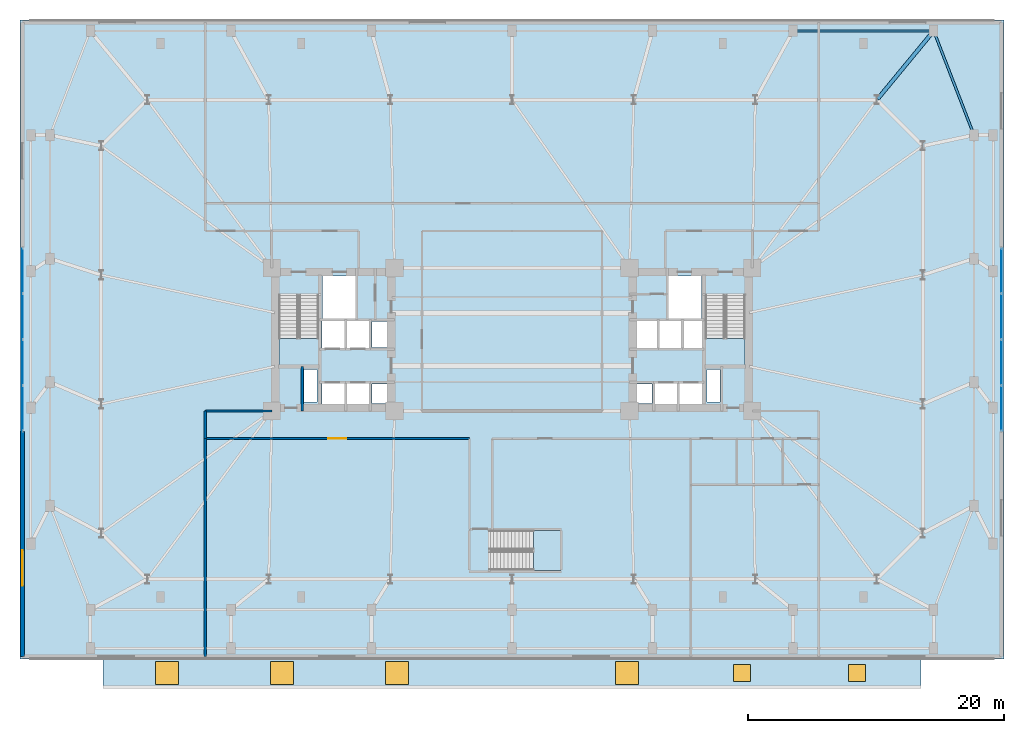
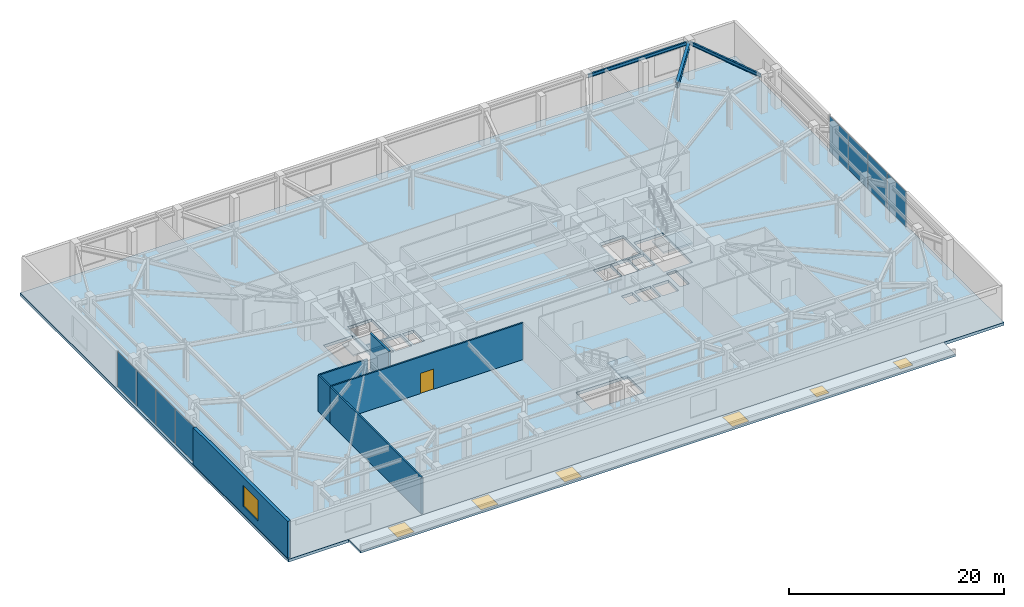
# One storey, part 13 of 21: 8 plates, 7 windows, 6 walls, 5 slabs, 3 beams, 1 door, 8 openings, 5 elements without a shape of their own.
"""IFC4 building model written with IfcOpenShell, lengths in metres."""

from ifc_helpers import new_model, si_unit, direction, frame, frame_2d, origin, origin_2d, place, context, subcontext, project, spatial, polyline, rectangle, i_section, outline, extrude, material, layer, layer_set, material_profile, profile_set, type_object, element, fill, aggregate, save


model = new_model("IFC4")

# Units and contexts
model_context = context("Model", 3, precision=1e-05, world=origin(), true_north=direction((0.0, 1.0)))
body_context = subcontext(model_context, "Body", "Model", "MODEL_VIEW")
ifc_project = project(units=[si_unit("LENGTHUNIT", "METRE"), si_unit("AREAUNIT", "SQUARE_METRE"), si_unit("VOLUMEUNIT", "CUBIC_METRE"), si_unit("PLANEANGLEUNIT", "RADIAN"), si_unit("MASSUNIT", "GRAM", prefix="KILO")], contexts=[model_context])

# Site, building, storey
site_placement = place(None, origin())
site = spatial("IfcSite", under=ifc_project, at=site_placement, CompositionType="ELEMENT")
building_placement = place(site_placement, origin())
building = spatial("IfcBuilding", under=site, at=building_placement, Name="Qobustan Lattice House", CompositionType="ELEMENT")
storey_placement = place(building_placement, frame((0.0, 0.0, 4.5)))
storey = spatial("IfcBuildingStorey", under=building, at=storey_placement, Name="L01", CompositionType="ELEMENT", Elevation=4.5)

# Beams
ifc_material_1 = material(Name="Steel S355", Category="steel")
ifc_material_profile_1 = material_profile(ifc_material_1, i_section(OverallWidth=0.300048828125, OverallDepth=0.60009765625, WebThickness=0.015380859375, FlangeThickness=0.030029296875, FilletRadius=0.027099609375, at=origin_2d()), Name="HEB600")
ifc_profile_set_1 = profile_set([ifc_material_profile_1], Name="Steel S355")
beam_type_1 = type_object("IfcBeamType", Name="BM-POD-HEB600", PredefinedType="USERDEFINED", material=ifc_profile_set_1)
beam_1_placement = place(storey_placement, frame((32.923583984375, 24.057373046875, 3.8701171875), z_axis=(-0.635954703728, -0.771726385973, 0.0), x_axis=(0.771726385973, -0.635954703728, 0.0)))
element("IfcBeam", 1, at=beam_1_placement, inside=storey, type_object=beam_type_1, Name="L01 podium radial girder PN7", ObjectType="GIRDER", PredefinedType="USERDEFINED", context=body_context, shape_type="SweptSolid", body=[
    extrude(i_section(OverallWidth=0.300048828125, OverallDepth=0.60009765625, WebThickness=0.015380859375, FlangeThickness=0.030029296875, FilletRadius=0.027099609375, at=origin_2d()), origin(), (0.0, 0.0, 1.0), 6.77734375),
])
ifc_material_2 = material(Name="Steel S355", Category="steel")
ifc_material_profile_2 = material_profile(ifc_material_2, i_section(OverallWidth=0.179931640625, OverallDepth=0.39990234375, WebThickness=0.008544921875, FlangeThickness=0.013427734375, FilletRadius=0.02099609375, at=origin_2d()), Name="IPE400")
ifc_profile_set_2 = profile_set([ifc_material_profile_2], Name="Steel S355")
beam_type_2 = type_object("IfcBeamType", Name="BM-SPD-IPE400", PredefinedType="SPANDREL", material=ifc_profile_set_2)
beam_2_placement = place(storey_placement, frame((22.1201171875, 24.14990234375, 3.969970703125), z_axis=(1.0, 0.0, 0.0), x_axis=(0.0, 1.0, 0.0)))
element("IfcBeam", 2, at=beam_2_placement, inside=storey, type_object=beam_type_2, Name="L01 podium spandrel PN6-PN7", PredefinedType="SPANDREL", context=body_context, shape_type="SweptSolid", body=[
    extrude(i_section(OverallWidth=0.179931640625, OverallDepth=0.39990234375, WebThickness=0.008544921875, FlangeThickness=0.013427734375, FilletRadius=0.02099609375, at=origin_2d()), origin(), (0.0, 0.0, 1.0), 10.759765625),
])
beam_3_placement = place(storey_placement, frame((33.043212890625, 24.0380859375, 3.969970703125), z_axis=(0.360516886299, -0.932752686779, 0.0), x_axis=(0.932752686779, 0.360516886299, 0.0)))
element("IfcBeam", 3, at=beam_3_placement, inside=storey, type_object=beam_type_2, Name="L01 podium corner tie PN7-PE4", PredefinedType="SPANDREL", context=body_context, shape_type="SweptSolid", body=[
    extrude(i_section(OverallWidth=0.179931640625, OverallDepth=0.39990234375, WebThickness=0.008544921875, FlangeThickness=0.013427734375, FilletRadius=0.02099609375, at=origin_2d()), origin(), (0.0, 0.0, 1.0), 8.49755859375),
])

# Curtain wall, plates
ifc_material_3 = material(Name="Anodised aluminium and low-E glazing", Category="aluminium")
ifc_layer_1 = layer(ifc_material_3, 0.219970703125)
ifc_layer_set_1 = layer_set([ifc_layer_1], Name="Anodised aluminium and low-E glazing")
curtain_wall_type = type_object("IfcCurtainWallType", Name="CW-POD-01", PredefinedType="USERDEFINED", material=ifc_layer_set_1)
curtain_wall_1_placement = place(storey_placement, origin())
curtain_wall_1 = element("IfcCurtainWall", 4, at=curtain_wall_1_placement, inside=storey, type_object=curtain_wall_type, Name="L01 W podium colonnade curtain wall", ObjectType="CURTAIN WALL", PredefinedType="USERDEFINED")
ifc_material_4 = material(Name="Clear low-E laminated glass", Category="glass")
ifc_layer_2 = layer(ifc_material_4, 0.031982421875)
ifc_layer_set_2 = layer_set([ifc_layer_2], Name="Clear low-E laminated glass")
plate_type = type_object("IfcPlateType", Name="CWP-VISION-32", PredefinedType="CURTAIN_PANEL", material=ifc_layer_set_2)
plate_1_placement = place(storey_placement, frame((-38.300048828125, -5.3798828125, 0.06494140625), z_axis=(0.0, 0.0, 1.0), x_axis=(0.0, 1.0, 0.0)))
plate_1 = element("IfcPlate", 5, at=plate_1_placement, type_object=plate_type, Name="CW-P1 panel 1.1", PredefinedType="CURTAIN_PANEL", context=body_context, shape_type="SweptSolid", body=[
    extrude(rectangle(XDim=3.47998046875, YDim=0.031982421875, at=origin_2d()), origin(), (0.0, 0.0, 1.0), 4.0400390625),
])
plate_2_placement = place(storey_placement, frame((-38.300048828125, -1.800048828125, 0.06494140625), z_axis=(0.0, 0.0, 1.0), x_axis=(0.0, 1.0, 0.0)))
plate_2 = element("IfcPlate", 6, at=plate_2_placement, type_object=plate_type, Name="CW-P1 panel 2.1", PredefinedType="CURTAIN_PANEL", context=body_context, shape_type="SweptSolid", body=[
    extrude(rectangle(XDim=3.52001953125, YDim=0.031982421875, at=origin_2d()), origin(), (0.0, 0.0, 1.0), 4.0400390625),
])
plate_3_placement = place(storey_placement, frame((-38.300048828125, 1.800048828125, 0.06494140625), z_axis=(0.0, 0.0, 1.0), x_axis=(0.0, 1.0, 0.0)))
plate_3 = element("IfcPlate", 7, at=plate_3_placement, type_object=plate_type, Name="CW-P1 panel 3.1", PredefinedType="CURTAIN_PANEL", context=body_context, shape_type="SweptSolid", body=[
    extrude(rectangle(XDim=3.52001953125, YDim=0.031982421875, at=origin_2d()), origin(), (0.0, 0.0, 1.0), 4.0400390625),
])
plate_4_placement = place(storey_placement, frame((-38.300048828125, 5.3798828125, 0.06494140625), z_axis=(0.0, 0.0, 1.0), x_axis=(0.0, 1.0, 0.0)))
plate_4 = element("IfcPlate", 8, at=plate_4_placement, type_object=plate_type, Name="CW-P1 panel 4.1", PredefinedType="CURTAIN_PANEL", context=body_context, shape_type="SweptSolid", body=[
    extrude(rectangle(XDim=3.47998046875, YDim=0.031982421875, at=origin_2d()), origin(), (0.0, 0.0, 1.0), 4.0400390625),
])
aggregate(curtain_wall_1, [plate_1, plate_2, plate_3, plate_4])

curtain_wall_2_placement = place(storey_placement, origin())
curtain_wall_2 = element("IfcCurtainWall", 9, at=curtain_wall_2_placement, inside=storey, type_object=curtain_wall_type, Name="L01 E podium colonnade curtain wall", ObjectType="CURTAIN WALL", PredefinedType="USERDEFINED")
plate_5_placement = place(storey_placement, frame((38.300048828125, 5.3798828125, 0.06494140625), z_axis=(0.0, 0.0, 1.0), x_axis=(0.0, -1.0, 0.0)))
plate_5 = element("IfcPlate", 10, at=plate_5_placement, type_object=plate_type, Name="CW-P1 panel 1.1", PredefinedType="CURTAIN_PANEL", context=body_context, shape_type="SweptSolid", body=[
    extrude(rectangle(XDim=3.47998046875, YDim=0.031982421875, at=origin_2d()), origin(), (0.0, 0.0, 1.0), 4.0400390625),
])
plate_6_placement = place(storey_placement, frame((38.300048828125, 1.800048828125, 0.06494140625), z_axis=(0.0, 0.0, 1.0), x_axis=(0.0, -1.0, 0.0)))
plate_6 = element("IfcPlate", 11, at=plate_6_placement, type_object=plate_type, Name="CW-P1 panel 2.1", PredefinedType="CURTAIN_PANEL", context=body_context, shape_type="SweptSolid", body=[
    extrude(rectangle(XDim=3.52001953125, YDim=0.031982421875, at=origin_2d()), origin(), (0.0, 0.0, 1.0), 4.0400390625),
])
plate_7_placement = place(storey_placement, frame((38.300048828125, -1.800048828125, 0.06494140625), z_axis=(0.0, 0.0, 1.0), x_axis=(0.0, -1.0, 0.0)))
plate_7 = element("IfcPlate", 12, at=plate_7_placement, type_object=plate_type, Name="CW-P1 panel 3.1", PredefinedType="CURTAIN_PANEL", context=body_context, shape_type="SweptSolid", body=[
    extrude(rectangle(XDim=3.52001953125, YDim=0.031982421875, at=origin_2d()), origin(), (0.0, 0.0, 1.0), 4.0400390625),
])
plate_8_placement = place(storey_placement, frame((38.300048828125, -5.3798828125, 0.06494140625), z_axis=(0.0, 0.0, 1.0), x_axis=(0.0, -1.0, 0.0)))
plate_8 = element("IfcPlate", 13, at=plate_8_placement, type_object=plate_type, Name="CW-P1 panel 4.1", PredefinedType="CURTAIN_PANEL", context=body_context, shape_type="SweptSolid", body=[
    extrude(rectangle(XDim=3.47998046875, YDim=0.031982421875, at=origin_2d()), origin(), (0.0, 0.0, 1.0), 4.0400390625),
])
aggregate(curtain_wall_2, [plate_5, plate_6, plate_7, plate_8])

# Slab
ifc_material_5 = material(Name="Concrete C45/55", Category="concrete")
ifc_layer_3 = layer(ifc_material_5, 0.330078125)
ifc_layer_set_3 = layer_set([ifc_layer_3], Name="Concrete C45/55")
slab_type_1 = type_object("IfcSlabType", Name="SLB-FLR-330", PredefinedType="FLOOR", material=ifc_layer_set_3)
slab_1_placement = place(storey_placement, frame((0.0, 0.0, -0.330078125)))
element("IfcSlab", 14, at=slab_1_placement, inside=storey, type_object=slab_type_1, Name="L01 structural floor slab", PredefinedType="FLOOR", context=body_context, shape_type="SweptSolid", body=[
    extrude(outline(polyline([(-38.5, -25.0), (38.5, -25.0), (38.5, 25.0), (-38.5, 25.0), (-38.5, -25.0)]), holes=[polyline([(-18.25, -2.050048828125), (-18.25, 3.489990234375), (-15.1298828125, 3.489990234375), (-15.1298828125, -2.050048828125), (-18.25, -2.050048828125)]), polyline([(15.1298828125, -2.050048828125), (15.1298828125, 3.489990234375), (18.25, 3.489990234375), (18.25, -2.050048828125), (15.1298828125, -2.050048828125)]), polyline([(-14.820068359375, 1.64990234375), (-14.820068359375, 4.9599609375), (-12.25, 4.9599609375), (-12.25, 1.64990234375), (-14.820068359375, 1.64990234375)]), polyline([(12.25, 1.64990234375), (12.25, 4.9599609375), (14.820068359375, 4.9599609375), (14.820068359375, 1.64990234375), (12.25, 1.64990234375)]), polyline([(-16.260009765625, -4.8798828125), (-16.260009765625, -2.360107421875), (-15.260009765625, -2.360107421875), (-15.260009765625, -4.8798828125), (-16.260009765625, -4.8798828125)]), polyline([(15.260009765625, -4.8798828125), (15.260009765625, -2.360107421875), (16.260009765625, -2.360107421875), (16.260009765625, -4.8798828125), (15.260009765625, -4.8798828125)]), polyline([(-14.85009765625, -5.35009765625), (-14.85009765625, -3.419921875), (-13.1201171875, -3.419921875), (-13.1201171875, -5.35009765625), (-14.85009765625, -5.35009765625)]), polyline([(-12.919921875, -5.35009765625), (-12.919921875, -3.419921875), (-11.179931640625, -3.419921875), (-11.179931640625, -5.35009765625), (-12.919921875, -5.35009765625)]), polyline([(-14.85009765625, -0.679931640625), (-14.85009765625, 1.47998046875), (-13.1201171875, 1.47998046875), (-13.1201171875, -0.679931640625), (-14.85009765625, -0.679931640625)]), polyline([(-12.919921875, -0.679931640625), (-12.919921875, 1.47998046875), (-11.179931640625, 1.47998046875), (-11.179931640625, -0.679931640625), (-12.919921875, -0.679931640625)]), polyline([(-10.93994140625, -5.0), (-10.93994140625, -3.47998046875), (-9.760009765625, -3.47998046875), (-9.760009765625, -5.0), (-10.93994140625, -5.0)]), polyline([(-10.93994140625, -0.6201171875), (-10.93994140625, 1.419921875), (-9.760009765625, 1.419921875), (-9.760009765625, -0.6201171875), (-10.93994140625, -0.6201171875)]), polyline([(11.179931640625, -5.35009765625), (11.179931640625, -3.419921875), (12.919921875, -3.419921875), (12.919921875, -5.35009765625), (11.179931640625, -5.35009765625)]), polyline([(13.1201171875, -5.35009765625), (13.1201171875, -3.419921875), (14.85009765625, -3.419921875), (14.85009765625, -5.35009765625), (13.1201171875, -5.35009765625)]), polyline([(9.760009765625, -5.0), (9.760009765625, -3.47998046875), (10.93994140625, -3.47998046875), (10.93994140625, -5.0), (9.760009765625, -5.0)]), polyline([(13.360107421875, -0.679931640625), (13.360107421875, 1.47998046875), (14.97998046875, 1.47998046875), (14.97998046875, -0.679931640625), (13.360107421875, -0.679931640625)]), polyline([(9.6201171875, -0.679931640625), (9.6201171875, 1.47998046875), (11.43994140625, 1.47998046875), (11.43994140625, -0.679931640625), (9.6201171875, -0.679931640625)]), polyline([(11.5, -0.679931640625), (11.5, 1.47998046875), (13.320068359375, 1.47998046875), (13.320068359375, -0.679931640625), (11.5, -0.679931640625)]), polyline([(-1.739990234375, -18.06005859375), (-1.739990234375, -14.93994140625), (3.800048828125, -14.93994140625), (3.800048828125, -18.06005859375), (-1.739990234375, -18.06005859375)])]), origin(), (0.0, 0.0, 1.0), 0.330078125),
])

# Stair, slab
ifc_material_6 = material(Name="Concrete C40/50", Category="concrete")
stair_type_1 = type_object("IfcStairType", Name="STR-CORE-DOGLEG", PredefinedType="HALF_TURN_STAIR", material=ifc_material_6)
stair_1_placement = place(storey_placement, origin())
stair_1 = element("IfcStair", 15, at=stair_1_placement, inside=storey, type_object=stair_type_1, Name="L01 West protected exit stair ST-W1", PredefinedType="HALF_TURN_STAIR")
ifc_material_7 = material(Name="Concrete C40/50", Category="concrete")
ifc_layer_4 = layer(ifc_material_7, 0.199951171875)
ifc_layer_set_4 = layer_set([ifc_layer_4], Name="Concrete C40/50")
slab_type_2 = type_object("IfcSlabType", Name="SLB-LANDING-200", PredefinedType="LANDING", material=ifc_layer_set_4)
slab_2_placement = place(storey_placement, frame((0.0, 0.0, 2.050048828125)))
slab_2 = element("IfcSlab", 16, at=slab_2_placement, type_object=slab_type_2, Name="ST-W1 landing 1", PredefinedType="LANDING", context=body_context, shape_type="SweptSolid", body=[
    extrude(outline(polyline([(-18.25, 0.080078125), (-18.25, -2.050048828125), (-15.1298828125, -2.050048828125), (-15.1298828125, 0.080078125), (-18.25, 0.080078125)])), origin(), (0.0, 0.0, 1.0), 0.199951171875),
])
aggregate(stair_1, [slab_2])

stair_2_placement = place(storey_placement, origin())
stair_2 = element("IfcStair", 17, at=stair_2_placement, inside=storey, type_object=stair_type_1, Name="L01 East protected exit stair ST-E1", PredefinedType="HALF_TURN_STAIR")
slab_3_placement = place(storey_placement, frame((0.0, 0.0, 2.050048828125)))
slab_3 = element("IfcSlab", 18, at=slab_3_placement, type_object=slab_type_2, Name="ST-E1 landing 1", PredefinedType="LANDING", context=body_context, shape_type="SweptSolid", body=[
    extrude(outline(polyline([(15.1298828125, 0.080078125), (15.1298828125, -2.050048828125), (18.25, -2.050048828125), (18.25, 0.080078125), (15.1298828125, 0.080078125)])), origin(), (0.0, 0.0, 1.0), 0.199951171875),
])
aggregate(stair_2, [slab_3])

ifc_material_8 = material(Name="Concrete C40/50", Category="concrete")
stair_type_2 = type_object("IfcStairType", Name="STR-POD-DOGLEG", PredefinedType="DOUBLE_RETURN_STAIR", material=ifc_material_8)
stair_3_placement = place(storey_placement, origin())
stair_3 = element("IfcStair", 19, at=stair_3_placement, inside=storey, type_object=stair_type_2, Name="L01 Podium garden exit stair ST-P1", PredefinedType="DOUBLE_RETURN_STAIR")
slab_4_placement = place(storey_placement, frame((0.0, 0.0, 2.050048828125)))
slab_4 = element("IfcSlab", 20, at=slab_4_placement, type_object=slab_type_2, Name="ST-P1 landing 1", PredefinedType="LANDING", context=body_context, shape_type="SweptSolid", body=[
    extrude(outline(polyline([(1.669921875, -18.06005859375), (3.800048828125, -18.06005859375), (3.800048828125, -14.93994140625), (1.669921875, -14.93994140625), (1.669921875, -18.06005859375)])), origin(), (0.0, 0.0, 1.0), 0.199951171875),
])
aggregate(stair_3, [slab_4])

# Slab, openings, windows
ifc_material_9 = material(Name="Concrete C40/50", Category="concrete")
ifc_layer_5 = layer(ifc_material_9, 0.239990234375)
ifc_layer_set_5 = layer_set([ifc_layer_5], Name="Concrete C40/50")
slab_type_3 = type_object("IfcSlabType", Name="SLB-ROOF-240", PredefinedType="ROOF", material=ifc_layer_set_5)
slab_5_placement = place(storey_placement, frame((0.0, 0.0, -0.239990234375)))
slab_5 = element("IfcSlab", 21, at=slab_5_placement, inside=storey, type_object=slab_type_3, Name="South entrance colonnade canopy roof slab", PredefinedType="ROOF", context=body_context, shape_type="SweptSolid", body=[
    extrude(outline(polyline([(-32.0, -27.199951171875), (32.0, -27.199951171875), (32.0, -25.0), (-32.0, -25.0), (-32.0, -27.199951171875)])), origin(), (0.0, 0.0, 1.0), 0.239990234375),
])
opening_1_placement = place(slab_5_placement, frame((-27.0, -26.10009765625, 0.0)))
opening_1 = element("IfcOpeningElement", 22, at=opening_1_placement, cuts=slab_5, Name="Opening SK-01", PredefinedType="OPENING", context=body_context, shape_type="SweptSolid", body=[
    extrude(rectangle(XDim=1.800048828125, YDim=1.800048828125, at=origin_2d()), origin(), (0.0, 0.0, 1.0), 0.239990234375),
])
opening_2_placement = place(slab_5_placement, frame((-18.0, -26.10009765625, 0.0)))
opening_2 = element("IfcOpeningElement", 23, at=opening_2_placement, cuts=slab_5, Name="Opening SK-01", PredefinedType="OPENING", context=body_context, shape_type="SweptSolid", body=[
    extrude(rectangle(XDim=1.800048828125, YDim=1.800048828125, at=origin_2d()), origin(), (0.0, 0.0, 1.0), 0.239990234375),
])
opening_3_placement = place(slab_5_placement, frame((-9.0, -26.10009765625, 0.0)))
opening_3 = element("IfcOpeningElement", 24, at=opening_3_placement, cuts=slab_5, Name="Opening SK-01", PredefinedType="OPENING", context=body_context, shape_type="SweptSolid", body=[
    extrude(rectangle(XDim=1.800048828125, YDim=1.800048828125, at=origin_2d()), origin(), (0.0, 0.0, 1.0), 0.239990234375),
])
opening_4_placement = place(slab_5_placement, frame((9.0, -26.10009765625, 0.0)))
opening_4 = element("IfcOpeningElement", 25, at=opening_4_placement, cuts=slab_5, Name="Opening SK-01", PredefinedType="OPENING", context=body_context, shape_type="SweptSolid", body=[
    extrude(rectangle(XDim=1.800048828125, YDim=1.800048828125, at=origin_2d()), origin(), (0.0, 0.0, 1.0), 0.239990234375),
])
opening_5_placement = place(slab_5_placement, frame((18.0, -26.10009765625, 0.0)))
opening_5 = element("IfcOpeningElement", 26, at=opening_5_placement, cuts=slab_5, Name="Opening SK-02", PredefinedType="OPENING", context=body_context, shape_type="SweptSolid", body=[
    extrude(rectangle(XDim=1.35009765625, YDim=1.35009765625, at=origin_2d()), origin(), (0.0, 0.0, 1.0), 0.239990234375),
])
opening_6_placement = place(slab_5_placement, frame((27.0, -26.10009765625, 0.0)))
opening_6 = element("IfcOpeningElement", 27, at=opening_6_placement, cuts=slab_5, Name="Opening SK-02", PredefinedType="OPENING", context=body_context, shape_type="SweptSolid", body=[
    extrude(rectangle(XDim=1.35009765625, YDim=1.35009765625, at=origin_2d()), origin(), (0.0, 0.0, 1.0), 0.239990234375),
])
ifc_material_10 = material(Name="Double-glazed low-E aluminium window", Category="aluminium")
window_type_1 = type_object("IfcWindowType", Name="SKY-COL-1350x1350", PartitioningType="SINGLE_PANEL", PredefinedType="SKYLIGHT", material=ifc_material_10)
window_1_placement = place(opening_5_placement, frame((0.0, 0.0, 0.18994140625)))
window_1 = element("IfcWindow", 28, at=window_1_placement, inside=storey, type_object=window_type_1, Name="South colonnade canopy glass skylight SK-5", OverallHeight=1.35009765625, OverallWidth=1.35009765625, PartitioningType="SINGLE_PANEL", PredefinedType="SKYLIGHT", context=body_context, shape_type="SweptSolid", body=[
    extrude(rectangle(XDim=1.35009765625, YDim=1.35009765625, at=origin_2d()), origin(), (0.0, 0.0, 1.0), 0.050048828125),
])
fill(opening_5, window_1)
window_2_placement = place(opening_6_placement, frame((0.0, 0.0, 0.18994140625)))
window_2 = element("IfcWindow", 29, at=window_2_placement, inside=storey, type_object=window_type_1, Name="South colonnade canopy glass skylight SK-6", OverallHeight=1.35009765625, OverallWidth=1.35009765625, PartitioningType="SINGLE_PANEL", PredefinedType="SKYLIGHT", context=body_context, shape_type="SweptSolid", body=[
    extrude(rectangle(XDim=1.35009765625, YDim=1.35009765625, at=origin_2d()), origin(), (0.0, 0.0, 1.0), 0.050048828125),
])
fill(opening_6, window_2)
ifc_material_11 = material(Name="Double-glazed low-E aluminium window", Category="aluminium")
window_type_2 = type_object("IfcWindowType", Name="SKY-POD-1800x1800", PartitioningType="SINGLE_PANEL", PredefinedType="SKYLIGHT", material=ifc_material_11)
window_3_placement = place(opening_1_placement, frame((0.0, 0.0, 0.18994140625)))
window_3 = element("IfcWindow", 30, at=window_3_placement, inside=storey, type_object=window_type_2, Name="South colonnade canopy glass skylight SK-1", OverallHeight=1.800048828125, OverallWidth=1.800048828125, PartitioningType="SINGLE_PANEL", PredefinedType="SKYLIGHT", context=body_context, shape_type="SweptSolid", body=[
    extrude(rectangle(XDim=1.800048828125, YDim=1.800048828125, at=origin_2d()), origin(), (0.0, 0.0, 1.0), 0.050048828125),
])
fill(opening_1, window_3)
window_4_placement = place(opening_2_placement, frame((0.0, 0.0, 0.18994140625)))
window_4 = element("IfcWindow", 31, at=window_4_placement, inside=storey, type_object=window_type_2, Name="South colonnade canopy glass skylight SK-2", OverallHeight=1.800048828125, OverallWidth=1.800048828125, PartitioningType="SINGLE_PANEL", PredefinedType="SKYLIGHT", context=body_context, shape_type="SweptSolid", body=[
    extrude(rectangle(XDim=1.800048828125, YDim=1.800048828125, at=origin_2d()), origin(), (0.0, 0.0, 1.0), 0.050048828125),
])
fill(opening_2, window_4)
window_5_placement = place(opening_3_placement, frame((0.0, 0.0, 0.18994140625)))
window_5 = element("IfcWindow", 32, at=window_5_placement, inside=storey, type_object=window_type_2, Name="South colonnade canopy glass skylight SK-3", OverallHeight=1.800048828125, OverallWidth=1.800048828125, PartitioningType="SINGLE_PANEL", PredefinedType="SKYLIGHT", context=body_context, shape_type="SweptSolid", body=[
    extrude(rectangle(XDim=1.800048828125, YDim=1.800048828125, at=origin_2d()), origin(), (0.0, 0.0, 1.0), 0.050048828125),
])
fill(opening_3, window_5)
window_6_placement = place(opening_4_placement, frame((0.0, 0.0, 0.18994140625)))
window_6 = element("IfcWindow", 33, at=window_6_placement, inside=storey, type_object=window_type_2, Name="South colonnade canopy glass skylight SK-4", OverallHeight=1.800048828125, OverallWidth=1.800048828125, PartitioningType="SINGLE_PANEL", PredefinedType="SKYLIGHT", context=body_context, shape_type="SweptSolid", body=[
    extrude(rectangle(XDim=1.800048828125, YDim=1.800048828125, at=origin_2d()), origin(), (0.0, 0.0, 1.0), 0.050048828125),
])
fill(opening_4, window_6)

# Wall, opening, window
ifc_material_12 = material(Name="Precast concrete C40/50", Category="concrete")
ifc_layer_6 = layer(ifc_material_12, 0.320068359375)
ifc_layer_set_6 = layer_set([ifc_layer_6], Name="Precast concrete C40/50")
wall_type_1 = type_object("IfcWallType", Name="WAL-EXT-STONE-320", PredefinedType="SOLIDWALL", material=ifc_layer_set_6)
wall_1_placement = place(storey_placement, frame((-38.300048828125, -24.800048828125, 0.0), z_axis=(0.0, 0.0, 1.0), x_axis=(0.0, 1.0, 0.0)))
wall_1 = element("IfcWall", 34, at=wall_1_placement, inside=storey, type_object=wall_type_1, Name="L01 podium stone wall 1A", PredefinedType="SOLIDWALL", context=body_context, shape_type="SweptSolid", body=[
    extrude(rectangle(XDim=17.60009765625, YDim=0.320068359375, at=frame_2d((8.800048828125, 0.0))), origin(), (0.0, 0.0, 1.0), 4.169921875),
])
opening_7_placement = place(wall_1_placement, frame((5.52197265625, 0.0, 0.85009765625)))
opening_7 = element("IfcOpeningElement", 35, at=opening_7_placement, cuts=wall_1, Name="Opening WN-17", PredefinedType="OPENING", context=body_context, shape_type="SweptSolid", body=[
    extrude(rectangle(XDim=2.800048828125, YDim=2.39990234375, at=frame_2d((1.39990234375, 1.199951171875))), frame((0.0, 0.169921875, 0.0), z_axis=(0.0, -1.0, 0.0), x_axis=(1.0, 0.0, 0.0)), (0.0, 0.0, 1.0), 0.340087890625),
])
ifc_material_13 = material(Name="Double-glazed low-E aluminium window", Category="aluminium")
window_type_3 = type_object("IfcWindowType", Name="WIN-POD-2800x2400", PartitioningType="SINGLE_PANEL", PredefinedType="WINDOW", material=ifc_material_13)
window_7_placement = place(opening_7_placement, origin())
window_7 = element("IfcWindow", 36, at=window_7_placement, inside=storey, type_object=window_type_3, Name="L01 Academic reference library window", OverallHeight=2.39990234375, OverallWidth=2.800048828125, PartitioningType="SINGLE_PANEL", PredefinedType="WINDOW", context=body_context, shape_type="SweptSolid", body=[
    extrude(rectangle(XDim=2.800048828125, YDim=2.39990234375, at=frame_2d((1.39990234375, 1.199951171875))), frame((0.0, 0.030029296875, 0.0), z_axis=(0.0, -1.0, 0.0), x_axis=(1.0, 0.0, 0.0)), (0.0, 0.0, 1.0), 0.06005859375),
])
fill(opening_7, window_7)

# Walls
ifc_material_14 = material(Name="High-mass acoustic twin-stud partition", Category="gypsum")
ifc_layer_7 = layer(ifc_material_14, 0.1650390625)
ifc_layer_set_7 = layer_set([ifc_layer_7], Name="High-mass acoustic twin-stud partition")
wall_type_2 = type_object("IfcWallType", Name="WAL-PART-165", PredefinedType="PARTITIONING", material=ifc_layer_set_7)
wall_2_placement = place(storey_placement, frame((-24.0, -5.60009765625, 0.0), z_axis=(0.0, 0.0, 1.0), x_axis=(1.0, 0.0, 0.0)))
element("IfcWall", 37, at=wall_2_placement, inside=storey, type_object=wall_type_2, Name="L01 interior partition 46", PredefinedType="PARTITIONING", context=body_context, shape_type="SweptSolid", body=[
    extrude(rectangle(XDim=5.199951171875, YDim=0.1650390625, at=frame_2d((2.60009765625, 0.0))), origin(), (0.0, 0.0, 1.0), 4.169921875),
])
wall_3_placement = place(storey_placement, frame((-24.0, -7.75, 0.0), z_axis=(0.0, 0.0, 1.0), x_axis=(0.0, 1.0, 0.0)))
element("IfcWall", 38, at=wall_3_placement, inside=storey, type_object=wall_type_2, Name="L01 interior partition 47", PredefinedType="PARTITIONING", context=body_context, shape_type="SweptSolid", body=[
    extrude(rectangle(XDim=2.14990234375, YDim=0.1650390625, at=frame_2d((1.074951171875, 0.0))), origin(), (0.0, 0.0, 1.0), 4.169921875),
])

# Wall, opening, door
wall_4_placement = place(storey_placement, frame((-3.320068359375, -7.75, 0.0), z_axis=(0.0, 0.0, 1.0), x_axis=(-1.0, 0.0, 0.0)))
wall_4 = element("IfcWall", 39, at=wall_4_placement, inside=storey, type_object=wall_type_2, Name="L01 interior partition 48", PredefinedType="PARTITIONING", context=body_context, shape_type="SweptSolid", body=[
    extrude(rectangle(XDim=20.679931640625, YDim=0.1650390625, at=frame_2d((10.33984375, 0.0))), origin(), (0.0, 0.0, 1.0), 4.169921875),
])
opening_8_placement = place(wall_4_placement, frame((9.639892578125, 0.0, 0.0)))
opening_8 = element("IfcOpeningElement", 40, at=opening_8_placement, cuts=wall_4, Name="Opening ID-04", PredefinedType="OPENING", context=body_context, shape_type="SweptSolid", body=[
    extrude(rectangle(XDim=1.39990234375, YDim=2.300048828125, at=frame_2d((0.699951171875, 1.14990234375))), frame((0.0, 0.092529296875, 0.0), z_axis=(0.0, -1.0, 0.0), x_axis=(1.0, 0.0, 0.0)), (0.0, 0.0, 1.0), 0.18505859375),
])
ifc_material_15 = material(Name="Persian walnut timber and steel frame door", Category="steel")
door_type = type_object("IfcDoorType", Name="DOR-POD-1400x2300", OperationType="NOTDEFINED", PredefinedType="DOOR", material=ifc_material_15)
door_placement = place(opening_8_placement, origin())
door = element("IfcDoor", 41, at=door_placement, inside=storey, type_object=door_type, Name="L01 South-west podium corridor to Group seminar hall A door", OperationType="SINGLE_SWING_LEFT", OverallHeight=2.300048828125, OverallWidth=1.39990234375, PredefinedType="DOOR", context=body_context, shape_type="SweptSolid", body=[
    extrude(rectangle(XDim=1.39990234375, YDim=2.300048828125, at=frame_2d((0.699951171875, 1.14990234375))), frame((0.0, 0.02490234375, 0.0), z_axis=(0.0, -1.0, 0.0), x_axis=(1.0, 0.0, 0.0)), (0.0, 0.0, 1.0), 0.050048828125),
])
fill(opening_8, door)

# Walls
wall_5_placement = place(storey_placement, frame((-24.0, -7.75, 0.0), z_axis=(0.0, 0.0, 1.0), x_axis=(0.0, -1.0, 0.0)))
element("IfcWall", 42, at=wall_5_placement, inside=storey, type_object=wall_type_2, Name="L01 interior partition 63", PredefinedType="PARTITIONING", context=body_context, shape_type="SweptSolid", body=[
    extrude(rectangle(XDim=17.050048828125, YDim=0.1650390625, at=frame_2d((8.52490234375, 0.0))), origin(), (0.0, 0.0, 1.0), 4.169921875),
])
ifc_material_16 = material(Name="Concrete C40/50", Category="concrete")
ifc_layer_8 = layer(ifc_material_16, 0.199951171875)
ifc_layer_set_8 = layer_set([ifc_layer_8], Name="Concrete C40/50")
wall_type_3 = type_object("IfcWallType", Name="WAL-SHAFT-200", PredefinedType="PARTITIONING", material=ifc_layer_set_8)
wall_6_placement = place(storey_placement, frame((-16.39990234375, -5.60009765625, 0.0), z_axis=(0.0, 0.0, 1.0), x_axis=(0.0, 1.0, 0.0)))
element("IfcWall", 43, at=wall_6_placement, inside=storey, type_object=wall_type_3, Name="L01 interior partition 1", PredefinedType="PARTITIONING", context=body_context, shape_type="SweptSolid", body=[
    extrude(rectangle(XDim=3.489990234375, YDim=0.199951171875, at=frame_2d((1.7451171875, 0.0))), origin(), (0.0, 0.0, 1.0), 4.169921875),
])

save(model, "model.ifc")
